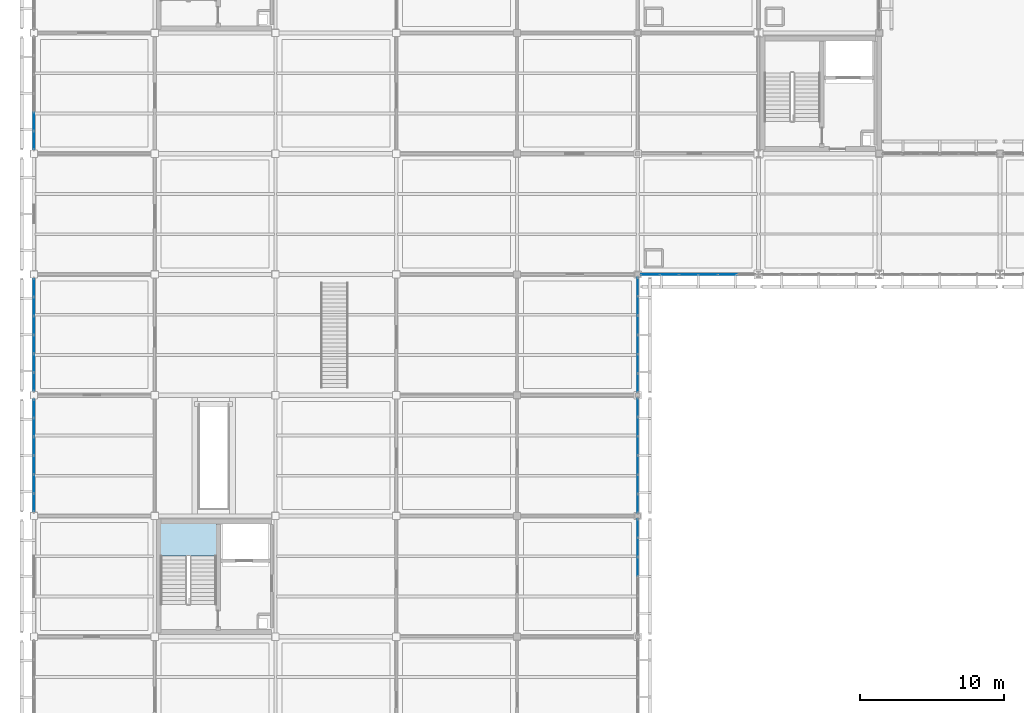
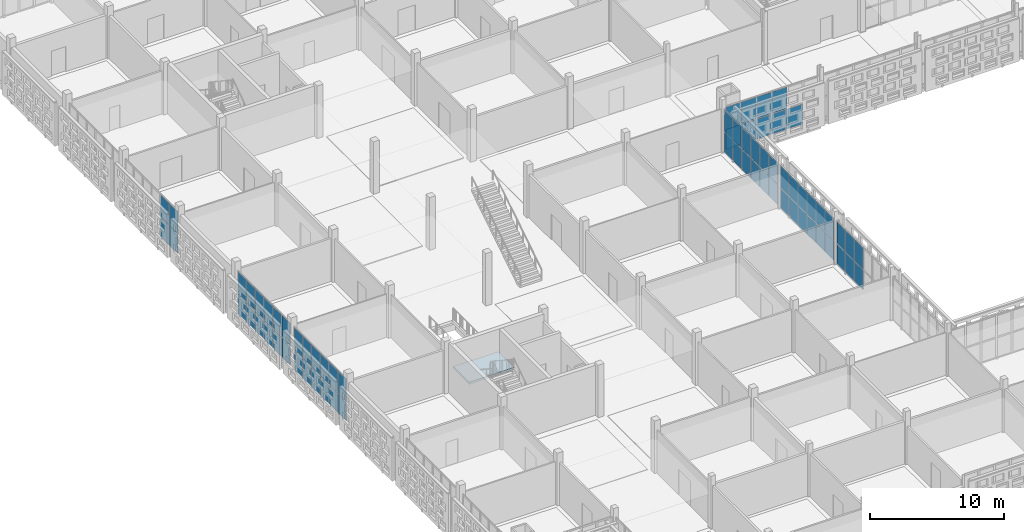
# One storey, part 94 of 203: 67 plates, 1 slab, 8 elements without a shape of their own.
"""IFC4 building model written with IfcOpenShell, lengths in metres."""

from ifc_helpers import new_model, si_unit, direction, frame, origin, origin_2d, place, context, subcontext, project, spatial, polyline, rectangle, outline, extrude, material, layer, layer_set, type_object, element, aggregate, save


model = new_model("IFC4")

# Units and contexts
model_context = context("Model", 3, precision=1e-05, world=origin(), true_north=direction((0.0, 1.0)))
body_context = subcontext(model_context, "Body", "Model", "MODEL_VIEW")
ifc_project = project(units=[si_unit("LENGTHUNIT", "METRE"), si_unit("AREAUNIT", "SQUARE_METRE"), si_unit("VOLUMEUNIT", "CUBIC_METRE"), si_unit("PLANEANGLEUNIT", "RADIAN"), si_unit("MASSUNIT", "GRAM", prefix="KILO")], contexts=[model_context])

# Site, building, storey
site_placement = place(None, origin())
site = spatial("IfcSite", under=ifc_project, at=site_placement, CompositionType="ELEMENT")
building_placement = place(site_placement, origin())
building = spatial("IfcBuilding", under=site, at=building_placement, Name="Varnapada Polytechnic", CompositionType="ELEMENT")
storey_placement = place(building_placement, frame((0.0, 0.0, 4.800048828125)))
storey = spatial("IfcBuildingStorey", under=building, at=storey_placement, Name="L01", CompositionType="ELEMENT", Elevation=4.800048828125)

# Curtain wall, plates
ifc_material_1 = material(Name="Double low-E laminated glass", Category="glass")
ifc_layer_1 = layer(ifc_material_1, 0.159912109375)
ifc_layer_set_1 = layer_set([ifc_layer_1], Name="Double low-E laminated glass")
curtain_wall_type_1 = type_object("IfcCurtainWallType", Name="Curtain Wall CW-01", PredefinedType="NOTDEFINED", material=ifc_layer_set_1)
curtain_wall_1_placement = place(storey_placement, origin())
curtain_wall_1 = element("IfcCurtainWall", 1, at=curtain_wall_1_placement, inside=storey, type_object=curtain_wall_type_1, Name="L01 unitised curtain wall CW-01 (38)", PredefinedType="NOTDEFINED")
ifc_layer_2 = layer(ifc_material_1, 0.028076171875)
ifc_layer_set_2 = layer_set([ifc_layer_2], Name="Double low-E laminated glass")
plate_type_1 = type_object("IfcPlateType", Name="Curtain Panel PNL-01", PredefinedType="CURTAIN_PANEL", material=ifc_layer_set_2)
plate_1_placement = place(storey_placement, frame((42.0, 66.334228515625, 0.06005859375), z_axis=(0.0, 0.0, 1.0), x_axis=(0.0, -1.0, 0.0)))
plate_1 = element("IfcPlate", 2, at=plate_1_placement, type_object=plate_type_1, Name="CW-01 panel 1.1", PredefinedType="CURTAIN_PANEL", context=body_context, shape_type="SweptSolid", body=[
    extrude(rectangle(XDim=1.251708984375, YDim=0.028076171875, at=origin_2d()), origin(), (0.0, 0.0, 1.0), 1.810791015625),
])
plate_2_placement = place(storey_placement, frame((42.0, 66.334228515625, 1.9306640625), z_axis=(0.0, 0.0, 1.0), x_axis=(0.0, -1.0, 0.0)))
plate_2 = element("IfcPlate", 3, at=plate_2_placement, type_object=plate_type_1, Name="CW-01 panel 1.2", PredefinedType="CURTAIN_PANEL", context=body_context, shape_type="SweptSolid", body=[
    extrude(rectangle(XDim=1.251708984375, YDim=0.028076171875, at=origin_2d()), origin(), (0.0, 0.0, 1.0), 1.96923828125),
])
plate_3_placement = place(storey_placement, frame((42.0, 65.007568359375, 0.06005859375), z_axis=(0.0, 0.0, 1.0), x_axis=(0.0, -1.0, 0.0)))
plate_3 = element("IfcPlate", 4, at=plate_3_placement, type_object=plate_type_1, Name="CW-01 panel 2.1", PredefinedType="CURTAIN_PANEL", context=body_context, shape_type="SweptSolid", body=[
    extrude(rectangle(XDim=1.28173828125, YDim=0.028076171875, at=origin_2d()), origin(), (0.0, 0.0, 1.0), 1.810791015625),
])
plate_4_placement = place(storey_placement, frame((42.0, 65.007568359375, 1.9306640625), z_axis=(0.0, 0.0, 1.0), x_axis=(0.0, -1.0, 0.0)))
plate_4 = element("IfcPlate", 5, at=plate_4_placement, type_object=plate_type_1, Name="CW-01 panel 2.2", PredefinedType="CURTAIN_PANEL", context=body_context, shape_type="SweptSolid", body=[
    extrude(rectangle(XDim=1.28173828125, YDim=0.028076171875, at=origin_2d()), origin(), (0.0, 0.0, 1.0), 1.96923828125),
])
plate_5_placement = place(storey_placement, frame((42.0, 63.665771484375, 0.06005859375), z_axis=(0.0, 0.0, 1.0), x_axis=(0.0, -1.0, 0.0)))
plate_5 = element("IfcPlate", 6, at=plate_5_placement, type_object=plate_type_1, Name="CW-01 panel 3.1", PredefinedType="CURTAIN_PANEL", context=body_context, shape_type="SweptSolid", body=[
    extrude(rectangle(XDim=1.28173828125, YDim=0.028076171875, at=origin_2d()), origin(), (0.0, 0.0, 1.0), 1.810791015625),
])
plate_6_placement = place(storey_placement, frame((42.0, 63.665771484375, 1.9306640625), z_axis=(0.0, 0.0, 1.0), x_axis=(0.0, -1.0, 0.0)))
plate_6 = element("IfcPlate", 7, at=plate_6_placement, type_object=plate_type_1, Name="CW-01 panel 3.2", PredefinedType="CURTAIN_PANEL", context=body_context, shape_type="SweptSolid", body=[
    extrude(rectangle(XDim=1.28173828125, YDim=0.028076171875, at=origin_2d()), origin(), (0.0, 0.0, 1.0), 1.96923828125),
])
aggregate(curtain_wall_1, [plate_1, plate_2, plate_3, plate_4, plate_5, plate_6])

curtain_wall_2_placement = place(storey_placement, origin())
curtain_wall_2 = element("IfcCurtainWall", 8, at=curtain_wall_2_placement, inside=storey, type_object=curtain_wall_type_1, Name="L01 unitised curtain wall CW-01 (39)", PredefinedType="NOTDEFINED")
plate_7_placement = place(storey_placement, frame((42.0, 74.744140625, 0.06005859375), z_axis=(0.0, 0.0, 1.0), x_axis=(0.0, -1.0, 0.0)))
plate_7 = element("IfcPlate", 9, at=plate_7_placement, type_object=plate_type_1, Name="CW-01 panel 1.1", PredefinedType="CURTAIN_PANEL", context=body_context, shape_type="SweptSolid", body=[
    extrude(rectangle(XDim=1.251708984375, YDim=0.028076171875, at=origin_2d()), origin(), (0.0, 0.0, 1.0), 1.810791015625),
])
plate_8_placement = place(storey_placement, frame((42.0, 74.744140625, 1.9306640625), z_axis=(0.0, 0.0, 1.0), x_axis=(0.0, -1.0, 0.0)))
plate_8 = element("IfcPlate", 10, at=plate_8_placement, type_object=plate_type_1, Name="CW-01 panel 1.2", PredefinedType="CURTAIN_PANEL", context=body_context, shape_type="SweptSolid", body=[
    extrude(rectangle(XDim=1.251708984375, YDim=0.028076171875, at=origin_2d()), origin(), (0.0, 0.0, 1.0), 1.96923828125),
])
plate_9_placement = place(storey_placement, frame((42.0, 73.41748046875, 0.06005859375), z_axis=(0.0, 0.0, 1.0), x_axis=(0.0, -1.0, 0.0)))
plate_9 = element("IfcPlate", 11, at=plate_9_placement, type_object=plate_type_1, Name="CW-01 panel 2.1", PredefinedType="CURTAIN_PANEL", context=body_context, shape_type="SweptSolid", body=[
    extrude(rectangle(XDim=1.28173828125, YDim=0.028076171875, at=origin_2d()), origin(), (0.0, 0.0, 1.0), 1.810791015625),
])
plate_10_placement = place(storey_placement, frame((42.0, 73.41748046875, 1.9306640625), z_axis=(0.0, 0.0, 1.0), x_axis=(0.0, -1.0, 0.0)))
plate_10 = element("IfcPlate", 12, at=plate_10_placement, type_object=plate_type_1, Name="CW-01 panel 2.2", PredefinedType="CURTAIN_PANEL", context=body_context, shape_type="SweptSolid", body=[
    extrude(rectangle(XDim=1.28173828125, YDim=0.028076171875, at=origin_2d()), origin(), (0.0, 0.0, 1.0), 1.96923828125),
])
plate_11_placement = place(storey_placement, frame((42.0, 72.075927734375, 0.06005859375), z_axis=(0.0, 0.0, 1.0), x_axis=(0.0, -1.0, 0.0)))
plate_11 = element("IfcPlate", 13, at=plate_11_placement, type_object=plate_type_1, Name="CW-01 panel 3.1", PredefinedType="CURTAIN_PANEL", context=body_context, shape_type="SweptSolid", body=[
    extrude(rectangle(XDim=1.28173828125, YDim=0.028076171875, at=origin_2d()), origin(), (0.0, 0.0, 1.0), 1.810791015625),
])
plate_12_placement = place(storey_placement, frame((42.0, 72.075927734375, 1.9306640625), z_axis=(0.0, 0.0, 1.0), x_axis=(0.0, -1.0, 0.0)))
plate_12 = element("IfcPlate", 14, at=plate_12_placement, type_object=plate_type_1, Name="CW-01 panel 3.2", PredefinedType="CURTAIN_PANEL", context=body_context, shape_type="SweptSolid", body=[
    extrude(rectangle(XDim=1.28173828125, YDim=0.028076171875, at=origin_2d()), origin(), (0.0, 0.0, 1.0), 1.96923828125),
])
plate_13_placement = place(storey_placement, frame((42.0, 70.734130859375, 0.06005859375), z_axis=(0.0, 0.0, 1.0), x_axis=(0.0, -1.0, 0.0)))
plate_13 = element("IfcPlate", 15, at=plate_13_placement, type_object=plate_type_1, Name="CW-01 panel 4.1", PredefinedType="CURTAIN_PANEL", context=body_context, shape_type="SweptSolid", body=[
    extrude(rectangle(XDim=1.28173828125, YDim=0.028076171875, at=origin_2d()), origin(), (0.0, 0.0, 1.0), 1.810791015625),
])
plate_14_placement = place(storey_placement, frame((42.0, 70.734130859375, 1.9306640625), z_axis=(0.0, 0.0, 1.0), x_axis=(0.0, -1.0, 0.0)))
plate_14 = element("IfcPlate", 16, at=plate_14_placement, type_object=plate_type_1, Name="CW-01 panel 4.2", PredefinedType="CURTAIN_PANEL", context=body_context, shape_type="SweptSolid", body=[
    extrude(rectangle(XDim=1.28173828125, YDim=0.028076171875, at=origin_2d()), origin(), (0.0, 0.0, 1.0), 1.96923828125),
])
plate_15_placement = place(storey_placement, frame((42.0, 69.392578125, 0.06005859375), z_axis=(0.0, 0.0, 1.0), x_axis=(0.0, -1.0, 0.0)))
plate_15 = element("IfcPlate", 17, at=plate_15_placement, type_object=plate_type_1, Name="CW-01 panel 5.1", PredefinedType="CURTAIN_PANEL", context=body_context, shape_type="SweptSolid", body=[
    extrude(rectangle(XDim=1.28173828125, YDim=0.028076171875, at=origin_2d()), origin(), (0.0, 0.0, 1.0), 1.810791015625),
])
plate_16_placement = place(storey_placement, frame((42.0, 69.392578125, 1.9306640625), z_axis=(0.0, 0.0, 1.0), x_axis=(0.0, -1.0, 0.0)))
plate_16 = element("IfcPlate", 18, at=plate_16_placement, type_object=plate_type_1, Name="CW-01 panel 5.2", PredefinedType="CURTAIN_PANEL", context=body_context, shape_type="SweptSolid", body=[
    extrude(rectangle(XDim=1.28173828125, YDim=0.028076171875, at=origin_2d()), origin(), (0.0, 0.0, 1.0), 1.96923828125),
])
plate_17_placement = place(storey_placement, frame((42.0, 68.06591796875, 0.06005859375), z_axis=(0.0, 0.0, 1.0), x_axis=(0.0, -1.0, 0.0)))
plate_17 = element("IfcPlate", 19, at=plate_17_placement, type_object=plate_type_1, Name="CW-01 panel 6.1", PredefinedType="CURTAIN_PANEL", context=body_context, shape_type="SweptSolid", body=[
    extrude(rectangle(XDim=1.251708984375, YDim=0.028076171875, at=origin_2d()), origin(), (0.0, 0.0, 1.0), 1.810791015625),
])
plate_18_placement = place(storey_placement, frame((42.0, 68.06591796875, 1.9306640625), z_axis=(0.0, 0.0, 1.0), x_axis=(0.0, -1.0, 0.0)))
plate_18 = element("IfcPlate", 20, at=plate_18_placement, type_object=plate_type_1, Name="CW-01 panel 6.2", PredefinedType="CURTAIN_PANEL", context=body_context, shape_type="SweptSolid", body=[
    extrude(rectangle(XDim=1.251708984375, YDim=0.028076171875, at=origin_2d()), origin(), (0.0, 0.0, 1.0), 1.96923828125),
])
aggregate(curtain_wall_2, [plate_7, plate_8, plate_9, plate_10, plate_11, plate_12, plate_13, plate_14, plate_15, plate_16, plate_17, plate_18])

curtain_wall_3_placement = place(storey_placement, origin())
curtain_wall_3 = element("IfcCurtainWall", 21, at=curtain_wall_3_placement, inside=storey, type_object=curtain_wall_type_1, Name="L01 unitised curtain wall CW-01 (40)", PredefinedType="NOTDEFINED")
plate_19_placement = place(storey_placement, frame((42.0, 83.13427734375, 0.06005859375), z_axis=(0.0, 0.0, 1.0), x_axis=(0.0, -1.0, 0.0)))
plate_19 = element("IfcPlate", 22, at=plate_19_placement, type_object=plate_type_1, Name="CW-01 panel 1.1", PredefinedType="CURTAIN_PANEL", context=body_context, shape_type="SweptSolid", body=[
    extrude(rectangle(XDim=1.251708984375, YDim=0.028076171875, at=origin_2d()), origin(), (0.0, 0.0, 1.0), 1.810791015625),
])
plate_20_placement = place(storey_placement, frame((42.0, 83.13427734375, 1.9306640625), z_axis=(0.0, 0.0, 1.0), x_axis=(0.0, -1.0, 0.0)))
plate_20 = element("IfcPlate", 23, at=plate_20_placement, type_object=plate_type_1, Name="CW-01 panel 1.2", PredefinedType="CURTAIN_PANEL", context=body_context, shape_type="SweptSolid", body=[
    extrude(rectangle(XDim=1.251708984375, YDim=0.028076171875, at=origin_2d()), origin(), (0.0, 0.0, 1.0), 1.96923828125),
])
plate_21_placement = place(storey_placement, frame((42.0, 81.8076171875, 0.06005859375), z_axis=(0.0, 0.0, 1.0), x_axis=(0.0, -1.0, 0.0)))
plate_21 = element("IfcPlate", 24, at=plate_21_placement, type_object=plate_type_1, Name="CW-01 panel 2.1", PredefinedType="CURTAIN_PANEL", context=body_context, shape_type="SweptSolid", body=[
    extrude(rectangle(XDim=1.28173828125, YDim=0.028076171875, at=origin_2d()), origin(), (0.0, 0.0, 1.0), 1.810791015625),
])
plate_22_placement = place(storey_placement, frame((42.0, 81.8076171875, 1.9306640625), z_axis=(0.0, 0.0, 1.0), x_axis=(0.0, -1.0, 0.0)))
plate_22 = element("IfcPlate", 25, at=plate_22_placement, type_object=plate_type_1, Name="CW-01 panel 2.2", PredefinedType="CURTAIN_PANEL", context=body_context, shape_type="SweptSolid", body=[
    extrude(rectangle(XDim=1.28173828125, YDim=0.028076171875, at=origin_2d()), origin(), (0.0, 0.0, 1.0), 1.96923828125),
])
plate_23_placement = place(storey_placement, frame((42.0, 80.4658203125, 0.06005859375), z_axis=(0.0, 0.0, 1.0), x_axis=(0.0, -1.0, 0.0)))
plate_23 = element("IfcPlate", 26, at=plate_23_placement, type_object=plate_type_1, Name="CW-01 panel 3.1", PredefinedType="CURTAIN_PANEL", context=body_context, shape_type="SweptSolid", body=[
    extrude(rectangle(XDim=1.28173828125, YDim=0.028076171875, at=origin_2d()), origin(), (0.0, 0.0, 1.0), 1.810791015625),
])
plate_24_placement = place(storey_placement, frame((42.0, 80.4658203125, 1.9306640625), z_axis=(0.0, 0.0, 1.0), x_axis=(0.0, -1.0, 0.0)))
plate_24 = element("IfcPlate", 27, at=plate_24_placement, type_object=plate_type_1, Name="CW-01 panel 3.2", PredefinedType="CURTAIN_PANEL", context=body_context, shape_type="SweptSolid", body=[
    extrude(rectangle(XDim=1.28173828125, YDim=0.028076171875, at=origin_2d()), origin(), (0.0, 0.0, 1.0), 1.96923828125),
])
plate_25_placement = place(storey_placement, frame((42.0, 79.124267578125, 0.06005859375), z_axis=(0.0, 0.0, 1.0), x_axis=(0.0, -1.0, 0.0)))
plate_25 = element("IfcPlate", 28, at=plate_25_placement, type_object=plate_type_1, Name="CW-01 panel 4.1", PredefinedType="CURTAIN_PANEL", context=body_context, shape_type="SweptSolid", body=[
    extrude(rectangle(XDim=1.28173828125, YDim=0.028076171875, at=origin_2d()), origin(), (0.0, 0.0, 1.0), 1.810791015625),
])
plate_26_placement = place(storey_placement, frame((42.0, 79.124267578125, 1.9306640625), z_axis=(0.0, 0.0, 1.0), x_axis=(0.0, -1.0, 0.0)))
plate_26 = element("IfcPlate", 29, at=plate_26_placement, type_object=plate_type_1, Name="CW-01 panel 4.2", PredefinedType="CURTAIN_PANEL", context=body_context, shape_type="SweptSolid", body=[
    extrude(rectangle(XDim=1.28173828125, YDim=0.028076171875, at=origin_2d()), origin(), (0.0, 0.0, 1.0), 1.96923828125),
])
plate_27_placement = place(storey_placement, frame((42.0, 77.782470703125, 0.06005859375), z_axis=(0.0, 0.0, 1.0), x_axis=(0.0, -1.0, 0.0)))
plate_27 = element("IfcPlate", 30, at=plate_27_placement, type_object=plate_type_1, Name="CW-01 panel 5.1", PredefinedType="CURTAIN_PANEL", context=body_context, shape_type="SweptSolid", body=[
    extrude(rectangle(XDim=1.28173828125, YDim=0.028076171875, at=origin_2d()), origin(), (0.0, 0.0, 1.0), 1.810791015625),
])
plate_28_placement = place(storey_placement, frame((42.0, 77.782470703125, 1.9306640625), z_axis=(0.0, 0.0, 1.0), x_axis=(0.0, -1.0, 0.0)))
plate_28 = element("IfcPlate", 31, at=plate_28_placement, type_object=plate_type_1, Name="CW-01 panel 5.2", PredefinedType="CURTAIN_PANEL", context=body_context, shape_type="SweptSolid", body=[
    extrude(rectangle(XDim=1.28173828125, YDim=0.028076171875, at=origin_2d()), origin(), (0.0, 0.0, 1.0), 1.96923828125),
])
plate_29_placement = place(storey_placement, frame((42.0, 76.455810546875, 0.06005859375), z_axis=(0.0, 0.0, 1.0), x_axis=(0.0, -1.0, 0.0)))
plate_29 = element("IfcPlate", 32, at=plate_29_placement, type_object=plate_type_1, Name="CW-01 panel 6.1", PredefinedType="CURTAIN_PANEL", context=body_context, shape_type="SweptSolid", body=[
    extrude(rectangle(XDim=1.251708984375, YDim=0.028076171875, at=origin_2d()), origin(), (0.0, 0.0, 1.0), 1.810791015625),
])
plate_30_placement = place(storey_placement, frame((42.0, 76.455810546875, 1.9306640625), z_axis=(0.0, 0.0, 1.0), x_axis=(0.0, -1.0, 0.0)))
plate_30 = element("IfcPlate", 33, at=plate_30_placement, type_object=plate_type_1, Name="CW-01 panel 6.2", PredefinedType="CURTAIN_PANEL", context=body_context, shape_type="SweptSolid", body=[
    extrude(rectangle(XDim=1.251708984375, YDim=0.028076171875, at=origin_2d()), origin(), (0.0, 0.0, 1.0), 1.96923828125),
])
aggregate(curtain_wall_3, [plate_19, plate_20, plate_21, plate_22, plate_23, plate_24, plate_25, plate_26, plate_27, plate_28, plate_29, plate_30])

curtain_wall_4_placement = place(storey_placement, origin())
curtain_wall_4 = element("IfcCurtainWall", 34, at=curtain_wall_4_placement, inside=storey, type_object=curtain_wall_type_1, Name="L01 unitised curtain wall CW-01 (46)", PredefinedType="NOTDEFINED")
plate_31_placement = place(storey_placement, frame((48.232421875, 84.0, 0.06005859375), z_axis=(0.0, 0.0, 1.0), x_axis=(-1.0, 0.0, 0.0)))
plate_31 = element("IfcPlate", 35, at=plate_31_placement, type_object=plate_type_1, Name="CW-01 panel 2.1", PredefinedType="CURTAIN_PANEL", context=body_context, shape_type="SweptSolid", body=[
    extrude(rectangle(XDim=1.284912109375, YDim=0.028076171875, at=origin_2d()), origin(), (0.0, 0.0, 1.0), 1.810791015625),
])
plate_32_placement = place(storey_placement, frame((46.887451171875, 84.0, 0.06005859375), z_axis=(0.0, 0.0, 1.0), x_axis=(-1.0, 0.0, 0.0)))
plate_32 = element("IfcPlate", 36, at=plate_32_placement, type_object=plate_type_1, Name="CW-01 panel 3.1", PredefinedType="CURTAIN_PANEL", context=body_context, shape_type="SweptSolid", body=[
    extrude(rectangle(XDim=1.284912109375, YDim=0.028076171875, at=origin_2d()), origin(), (0.0, 0.0, 1.0), 1.810791015625),
])
plate_33_placement = place(storey_placement, frame((46.887451171875, 84.0, 1.9306640625), z_axis=(0.0, 0.0, 1.0), x_axis=(-1.0, 0.0, 0.0)))
plate_33 = element("IfcPlate", 37, at=plate_33_placement, type_object=plate_type_1, Name="CW-01 panel 3.2", PredefinedType="CURTAIN_PANEL", context=body_context, shape_type="SweptSolid", body=[
    extrude(rectangle(XDim=1.284912109375, YDim=0.028076171875, at=origin_2d()), origin(), (0.0, 0.0, 1.0), 1.96923828125),
])
plate_34_placement = place(storey_placement, frame((45.54248046875, 84.0, 0.06005859375), z_axis=(0.0, 0.0, 1.0), x_axis=(-1.0, 0.0, 0.0)))
plate_34 = element("IfcPlate", 38, at=plate_34_placement, type_object=plate_type_1, Name="CW-01 panel 4.1", PredefinedType="CURTAIN_PANEL", context=body_context, shape_type="SweptSolid", body=[
    extrude(rectangle(XDim=1.284912109375, YDim=0.028076171875, at=origin_2d()), origin(), (0.0, 0.0, 1.0), 1.810791015625),
])
plate_35_placement = place(storey_placement, frame((45.54248046875, 84.0, 1.9306640625), z_axis=(0.0, 0.0, 1.0), x_axis=(-1.0, 0.0, 0.0)))
plate_35 = element("IfcPlate", 39, at=plate_35_placement, type_object=plate_type_1, Name="CW-01 panel 4.2", PredefinedType="CURTAIN_PANEL", context=body_context, shape_type="SweptSolid", body=[
    extrude(rectangle(XDim=1.284912109375, YDim=0.028076171875, at=origin_2d()), origin(), (0.0, 0.0, 1.0), 1.96923828125),
])
plate_36_placement = place(storey_placement, frame((44.197509765625, 84.0, 0.06005859375), z_axis=(0.0, 0.0, 1.0), x_axis=(-1.0, 0.0, 0.0)))
plate_36 = element("IfcPlate", 40, at=plate_36_placement, type_object=plate_type_1, Name="CW-01 panel 5.1", PredefinedType="CURTAIN_PANEL", context=body_context, shape_type="SweptSolid", body=[
    extrude(rectangle(XDim=1.284912109375, YDim=0.028076171875, at=origin_2d()), origin(), (0.0, 0.0, 1.0), 1.810791015625),
])
plate_37_placement = place(storey_placement, frame((44.197509765625, 84.0, 1.9306640625), z_axis=(0.0, 0.0, 1.0), x_axis=(-1.0, 0.0, 0.0)))
plate_37 = element("IfcPlate", 41, at=plate_37_placement, type_object=plate_type_1, Name="CW-01 panel 5.2", PredefinedType="CURTAIN_PANEL", context=body_context, shape_type="SweptSolid", body=[
    extrude(rectangle(XDim=1.284912109375, YDim=0.028076171875, at=origin_2d()), origin(), (0.0, 0.0, 1.0), 1.96923828125),
])
plate_38_placement = place(storey_placement, frame((42.867431640625, 84.0, 0.06005859375), z_axis=(0.0, 0.0, 1.0), x_axis=(-1.0, 0.0, 0.0)))
plate_38 = element("IfcPlate", 42, at=plate_38_placement, type_object=plate_type_1, Name="CW-01 panel 6.1", PredefinedType="CURTAIN_PANEL", context=body_context, shape_type="SweptSolid", body=[
    extrude(rectangle(XDim=1.2548828125, YDim=0.028076171875, at=origin_2d()), origin(), (0.0, 0.0, 1.0), 1.810791015625),
])
plate_39_placement = place(storey_placement, frame((42.867431640625, 84.0, 1.9306640625), z_axis=(0.0, 0.0, 1.0), x_axis=(-1.0, 0.0, 0.0)))
plate_39 = element("IfcPlate", 43, at=plate_39_placement, type_object=plate_type_1, Name="CW-01 panel 6.2", PredefinedType="CURTAIN_PANEL", context=body_context, shape_type="SweptSolid", body=[
    extrude(rectangle(XDim=1.2548828125, YDim=0.028076171875, at=origin_2d()), origin(), (0.0, 0.0, 1.0), 1.96923828125),
])
aggregate(curtain_wall_4, [plate_31, plate_32, plate_33, plate_34, plate_35, plate_36, plate_37, plate_38, plate_39])

ifc_layer_3 = layer(ifc_material_1, 0.179931640625)
ifc_layer_set_3 = layer_set([ifc_layer_3], Name="Double low-E laminated glass")
curtain_wall_type_2 = type_object("IfcCurtainWallType", Name="Curtain Wall CW-03", PredefinedType="NOTDEFINED", material=ifc_layer_set_3)
curtain_wall_5_placement = place(storey_placement, origin())
curtain_wall_5 = element("IfcCurtainWall", 44, at=curtain_wall_5_placement, inside=storey, type_object=curtain_wall_type_2, Name="L01 unitised curtain wall CW-03 (22)", PredefinedType="NOTDEFINED")
ifc_layer_4 = layer(ifc_material_1, 0.031982421875)
ifc_layer_set_4 = layer_set([ifc_layer_4], Name="Double low-E laminated glass")
plate_type_2 = type_object("IfcPlateType", Name="Curtain Panel PNL-02", PredefinedType="CURTAIN_PANEL", material=ifc_layer_set_4)
plate_40_placement = place(storey_placement, frame((0.0, 68.1328125, 0.06494140625), z_axis=(0.0, 0.0, 1.0), x_axis=(0.0, 1.0, 0.0)))
plate_40 = element("IfcPlate", 45, at=plate_40_placement, type_object=plate_type_2, Name="CW-03 panel 1.1", PredefinedType="CURTAIN_PANEL", context=body_context, shape_type="SweptSolid", body=[
    extrude(rectangle(XDim=1.2158203125, YDim=0.031982421875, at=origin_2d()), origin(), (0.0, 0.0, 1.0), 1.80322265625),
])
plate_41_placement = place(storey_placement, frame((0.0, 68.1328125, 1.93310546875), z_axis=(0.0, 0.0, 1.0), x_axis=(0.0, 1.0, 0.0)))
plate_41 = element("IfcPlate", 46, at=plate_41_placement, type_object=plate_type_2, Name="CW-03 panel 1.2", PredefinedType="CURTAIN_PANEL", context=body_context, shape_type="SweptSolid", body=[
    extrude(rectangle(XDim=1.2158203125, YDim=0.031982421875, at=origin_2d()), origin(), (0.0, 0.0, 1.0), 1.961669921875),
])
plate_42_placement = place(storey_placement, frame((0.0, 69.429931640625, 0.06494140625), z_axis=(0.0, 0.0, 1.0), x_axis=(0.0, 1.0, 0.0)))
plate_42 = element("IfcPlate", 47, at=plate_42_placement, type_object=plate_type_2, Name="CW-03 panel 2.1", PredefinedType="CURTAIN_PANEL", context=body_context, shape_type="SweptSolid", body=[
    extrude(rectangle(XDim=1.248291015625, YDim=0.031982421875, at=origin_2d()), origin(), (0.0, 0.0, 1.0), 1.80322265625),
])
plate_43_placement = place(storey_placement, frame((0.0, 69.429931640625, 1.93310546875), z_axis=(0.0, 0.0, 1.0), x_axis=(0.0, 1.0, 0.0)))
plate_43 = element("IfcPlate", 48, at=plate_43_placement, type_object=plate_type_2, Name="CW-03 panel 2.2", PredefinedType="CURTAIN_PANEL", context=body_context, shape_type="SweptSolid", body=[
    extrude(rectangle(XDim=1.248291015625, YDim=0.031982421875, at=origin_2d()), origin(), (0.0, 0.0, 1.0), 1.961669921875),
])
plate_44_placement = place(storey_placement, frame((0.0, 70.743408203125, 0.06494140625), z_axis=(0.0, 0.0, 1.0), x_axis=(0.0, 1.0, 0.0)))
plate_44 = element("IfcPlate", 49, at=plate_44_placement, type_object=plate_type_2, Name="CW-03 panel 3.1", PredefinedType="CURTAIN_PANEL", context=body_context, shape_type="SweptSolid", body=[
    extrude(rectangle(XDim=1.248291015625, YDim=0.031982421875, at=origin_2d()), origin(), (0.0, 0.0, 1.0), 1.80322265625),
])
plate_45_placement = place(storey_placement, frame((0.0, 70.743408203125, 1.93310546875), z_axis=(0.0, 0.0, 1.0), x_axis=(0.0, 1.0, 0.0)))
plate_45 = element("IfcPlate", 50, at=plate_45_placement, type_object=plate_type_2, Name="CW-03 panel 3.2", PredefinedType="CURTAIN_PANEL", context=body_context, shape_type="SweptSolid", body=[
    extrude(rectangle(XDim=1.248291015625, YDim=0.031982421875, at=origin_2d()), origin(), (0.0, 0.0, 1.0), 1.961669921875),
])
plate_46_placement = place(storey_placement, frame((0.0, 72.056640625, 0.06494140625), z_axis=(0.0, 0.0, 1.0), x_axis=(0.0, 1.0, 0.0)))
plate_46 = element("IfcPlate", 51, at=plate_46_placement, type_object=plate_type_2, Name="CW-03 panel 4.1", PredefinedType="CURTAIN_PANEL", context=body_context, shape_type="SweptSolid", body=[
    extrude(rectangle(XDim=1.248291015625, YDim=0.031982421875, at=origin_2d()), origin(), (0.0, 0.0, 1.0), 1.80322265625),
])
plate_47_placement = place(storey_placement, frame((0.0, 72.056640625, 1.93310546875), z_axis=(0.0, 0.0, 1.0), x_axis=(0.0, 1.0, 0.0)))
plate_47 = element("IfcPlate", 52, at=plate_47_placement, type_object=plate_type_2, Name="CW-03 panel 4.2", PredefinedType="CURTAIN_PANEL", context=body_context, shape_type="SweptSolid", body=[
    extrude(rectangle(XDim=1.248291015625, YDim=0.031982421875, at=origin_2d()), origin(), (0.0, 0.0, 1.0), 1.961669921875),
])
plate_48_placement = place(storey_placement, frame((0.0, 73.3701171875, 0.06494140625), z_axis=(0.0, 0.0, 1.0), x_axis=(0.0, 1.0, 0.0)))
plate_48 = element("IfcPlate", 53, at=plate_48_placement, type_object=plate_type_2, Name="CW-03 panel 5.1", PredefinedType="CURTAIN_PANEL", context=body_context, shape_type="SweptSolid", body=[
    extrude(rectangle(XDim=1.248291015625, YDim=0.031982421875, at=origin_2d()), origin(), (0.0, 0.0, 1.0), 1.80322265625),
])
plate_49_placement = place(storey_placement, frame((0.0, 73.3701171875, 1.93310546875), z_axis=(0.0, 0.0, 1.0), x_axis=(0.0, 1.0, 0.0)))
plate_49 = element("IfcPlate", 54, at=plate_49_placement, type_object=plate_type_2, Name="CW-03 panel 5.2", PredefinedType="CURTAIN_PANEL", context=body_context, shape_type="SweptSolid", body=[
    extrude(rectangle(XDim=1.248291015625, YDim=0.031982421875, at=origin_2d()), origin(), (0.0, 0.0, 1.0), 1.961669921875),
])
plate_50_placement = place(storey_placement, frame((0.0, 74.6669921875, 0.06494140625), z_axis=(0.0, 0.0, 1.0), x_axis=(0.0, 1.0, 0.0)))
plate_50 = element("IfcPlate", 55, at=plate_50_placement, type_object=plate_type_2, Name="CW-03 panel 6.1", PredefinedType="CURTAIN_PANEL", context=body_context, shape_type="SweptSolid", body=[
    extrude(rectangle(XDim=1.2158203125, YDim=0.031982421875, at=origin_2d()), origin(), (0.0, 0.0, 1.0), 1.80322265625),
])
plate_51_placement = place(storey_placement, frame((0.0, 74.6669921875, 1.93310546875), z_axis=(0.0, 0.0, 1.0), x_axis=(0.0, 1.0, 0.0)))
plate_51 = element("IfcPlate", 56, at=plate_51_placement, type_object=plate_type_2, Name="CW-03 panel 6.2", PredefinedType="CURTAIN_PANEL", context=body_context, shape_type="SweptSolid", body=[
    extrude(rectangle(XDim=1.2158203125, YDim=0.031982421875, at=origin_2d()), origin(), (0.0, 0.0, 1.0), 1.961669921875),
])
aggregate(curtain_wall_5, [plate_40, plate_41, plate_42, plate_43, plate_44, plate_45, plate_46, plate_47, plate_48, plate_49, plate_50, plate_51])

curtain_wall_6_placement = place(storey_placement, origin())
curtain_wall_6 = element("IfcCurtainWall", 57, at=curtain_wall_6_placement, inside=storey, type_object=curtain_wall_type_2, Name="L01 unitised curtain wall CW-03 (23)", PredefinedType="NOTDEFINED")
plate_52_placement = place(storey_placement, frame((0.0, 76.532958984375, 0.06494140625), z_axis=(0.0, 0.0, 1.0), x_axis=(0.0, 1.0, 0.0)))
plate_52 = element("IfcPlate", 58, at=plate_52_placement, type_object=plate_type_2, Name="CW-03 panel 1.1", PredefinedType="CURTAIN_PANEL", context=body_context, shape_type="SweptSolid", body=[
    extrude(rectangle(XDim=1.2158203125, YDim=0.031982421875, at=origin_2d()), origin(), (0.0, 0.0, 1.0), 1.80322265625),
])
plate_53_placement = place(storey_placement, frame((0.0, 76.532958984375, 1.93310546875), z_axis=(0.0, 0.0, 1.0), x_axis=(0.0, 1.0, 0.0)))
plate_53 = element("IfcPlate", 59, at=plate_53_placement, type_object=plate_type_2, Name="CW-03 panel 1.2", PredefinedType="CURTAIN_PANEL", context=body_context, shape_type="SweptSolid", body=[
    extrude(rectangle(XDim=1.2158203125, YDim=0.031982421875, at=origin_2d()), origin(), (0.0, 0.0, 1.0), 1.961669921875),
])
plate_54_placement = place(storey_placement, frame((0.0, 77.830078125, 0.06494140625), z_axis=(0.0, 0.0, 1.0), x_axis=(0.0, 1.0, 0.0)))
plate_54 = element("IfcPlate", 60, at=plate_54_placement, type_object=plate_type_2, Name="CW-03 panel 2.1", PredefinedType="CURTAIN_PANEL", context=body_context, shape_type="SweptSolid", body=[
    extrude(rectangle(XDim=1.248291015625, YDim=0.031982421875, at=origin_2d()), origin(), (0.0, 0.0, 1.0), 1.80322265625),
])
plate_55_placement = place(storey_placement, frame((0.0, 77.830078125, 1.93310546875), z_axis=(0.0, 0.0, 1.0), x_axis=(0.0, 1.0, 0.0)))
plate_55 = element("IfcPlate", 61, at=plate_55_placement, type_object=plate_type_2, Name="CW-03 panel 2.2", PredefinedType="CURTAIN_PANEL", context=body_context, shape_type="SweptSolid", body=[
    extrude(rectangle(XDim=1.248291015625, YDim=0.031982421875, at=origin_2d()), origin(), (0.0, 0.0, 1.0), 1.961669921875),
])
plate_56_placement = place(storey_placement, frame((0.0, 79.143310546875, 0.06494140625), z_axis=(0.0, 0.0, 1.0), x_axis=(0.0, 1.0, 0.0)))
plate_56 = element("IfcPlate", 62, at=plate_56_placement, type_object=plate_type_2, Name="CW-03 panel 3.1", PredefinedType="CURTAIN_PANEL", context=body_context, shape_type="SweptSolid", body=[
    extrude(rectangle(XDim=1.248291015625, YDim=0.031982421875, at=origin_2d()), origin(), (0.0, 0.0, 1.0), 1.80322265625),
])
plate_57_placement = place(storey_placement, frame((0.0, 79.143310546875, 1.93310546875), z_axis=(0.0, 0.0, 1.0), x_axis=(0.0, 1.0, 0.0)))
plate_57 = element("IfcPlate", 63, at=plate_57_placement, type_object=plate_type_2, Name="CW-03 panel 3.2", PredefinedType="CURTAIN_PANEL", context=body_context, shape_type="SweptSolid", body=[
    extrude(rectangle(XDim=1.248291015625, YDim=0.031982421875, at=origin_2d()), origin(), (0.0, 0.0, 1.0), 1.961669921875),
])
plate_58_placement = place(storey_placement, frame((0.0, 80.456787109375, 0.06494140625), z_axis=(0.0, 0.0, 1.0), x_axis=(0.0, 1.0, 0.0)))
plate_58 = element("IfcPlate", 64, at=plate_58_placement, type_object=plate_type_2, Name="CW-03 panel 4.1", PredefinedType="CURTAIN_PANEL", context=body_context, shape_type="SweptSolid", body=[
    extrude(rectangle(XDim=1.248291015625, YDim=0.031982421875, at=origin_2d()), origin(), (0.0, 0.0, 1.0), 1.80322265625),
])
plate_59_placement = place(storey_placement, frame((0.0, 80.456787109375, 1.93310546875), z_axis=(0.0, 0.0, 1.0), x_axis=(0.0, 1.0, 0.0)))
plate_59 = element("IfcPlate", 65, at=plate_59_placement, type_object=plate_type_2, Name="CW-03 panel 4.2", PredefinedType="CURTAIN_PANEL", context=body_context, shape_type="SweptSolid", body=[
    extrude(rectangle(XDim=1.248291015625, YDim=0.031982421875, at=origin_2d()), origin(), (0.0, 0.0, 1.0), 1.961669921875),
])
plate_60_placement = place(storey_placement, frame((0.0, 81.77001953125, 0.06494140625), z_axis=(0.0, 0.0, 1.0), x_axis=(0.0, 1.0, 0.0)))
plate_60 = element("IfcPlate", 66, at=plate_60_placement, type_object=plate_type_2, Name="CW-03 panel 5.1", PredefinedType="CURTAIN_PANEL", context=body_context, shape_type="SweptSolid", body=[
    extrude(rectangle(XDim=1.248291015625, YDim=0.031982421875, at=origin_2d()), origin(), (0.0, 0.0, 1.0), 1.80322265625),
])
plate_61_placement = place(storey_placement, frame((0.0, 81.77001953125, 1.93310546875), z_axis=(0.0, 0.0, 1.0), x_axis=(0.0, 1.0, 0.0)))
plate_61 = element("IfcPlate", 67, at=plate_61_placement, type_object=plate_type_2, Name="CW-03 panel 5.2", PredefinedType="CURTAIN_PANEL", context=body_context, shape_type="SweptSolid", body=[
    extrude(rectangle(XDim=1.248291015625, YDim=0.031982421875, at=origin_2d()), origin(), (0.0, 0.0, 1.0), 1.961669921875),
])
plate_62_placement = place(storey_placement, frame((0.0, 83.067138671875, 0.06494140625), z_axis=(0.0, 0.0, 1.0), x_axis=(0.0, 1.0, 0.0)))
plate_62 = element("IfcPlate", 68, at=plate_62_placement, type_object=plate_type_2, Name="CW-03 panel 6.1", PredefinedType="CURTAIN_PANEL", context=body_context, shape_type="SweptSolid", body=[
    extrude(rectangle(XDim=1.2158203125, YDim=0.031982421875, at=origin_2d()), origin(), (0.0, 0.0, 1.0), 1.80322265625),
])
plate_63_placement = place(storey_placement, frame((0.0, 83.067138671875, 1.93310546875), z_axis=(0.0, 0.0, 1.0), x_axis=(0.0, 1.0, 0.0)))
plate_63 = element("IfcPlate", 69, at=plate_63_placement, type_object=plate_type_2, Name="CW-03 panel 6.2", PredefinedType="CURTAIN_PANEL", context=body_context, shape_type="SweptSolid", body=[
    extrude(rectangle(XDim=1.2158203125, YDim=0.031982421875, at=origin_2d()), origin(), (0.0, 0.0, 1.0), 1.961669921875),
])
aggregate(curtain_wall_6, [plate_52, plate_53, plate_54, plate_55, plate_56, plate_57, plate_58, plate_59, plate_60, plate_61, plate_62, plate_63])

curtain_wall_7_placement = place(storey_placement, origin())
curtain_wall_7 = element("IfcCurtainWall", 70, at=curtain_wall_7_placement, inside=storey, type_object=curtain_wall_type_2, Name="L01 unitised curtain wall CW-03 (24)", PredefinedType="NOTDEFINED")
plate_64_placement = place(storey_placement, frame((0.0, 93.3330078125, 0.06494140625), z_axis=(0.0, 0.0, 1.0), x_axis=(0.0, 1.0, 0.0)))
plate_64 = element("IfcPlate", 71, at=plate_64_placement, type_object=plate_type_2, Name="CW-03 panel 1.1", PredefinedType="CURTAIN_PANEL", context=body_context, shape_type="SweptSolid", body=[
    extrude(rectangle(XDim=1.2158203125, YDim=0.031982421875, at=origin_2d()), origin(), (0.0, 0.0, 1.0), 1.80322265625),
])
plate_65_placement = place(storey_placement, frame((0.0, 93.3330078125, 1.93310546875), z_axis=(0.0, 0.0, 1.0), x_axis=(0.0, 1.0, 0.0)))
plate_65 = element("IfcPlate", 72, at=plate_65_placement, type_object=plate_type_2, Name="CW-03 panel 1.2", PredefinedType="CURTAIN_PANEL", context=body_context, shape_type="SweptSolid", body=[
    extrude(rectangle(XDim=1.2158203125, YDim=0.031982421875, at=origin_2d()), origin(), (0.0, 0.0, 1.0), 1.961669921875),
])
plate_66_placement = place(storey_placement, frame((0.0, 94.6298828125, 0.06494140625), z_axis=(0.0, 0.0, 1.0), x_axis=(0.0, 1.0, 0.0)))
plate_66 = element("IfcPlate", 73, at=plate_66_placement, type_object=plate_type_2, Name="CW-03 panel 2.1", PredefinedType="CURTAIN_PANEL", context=body_context, shape_type="SweptSolid", body=[
    extrude(rectangle(XDim=1.248291015625, YDim=0.031982421875, at=origin_2d()), origin(), (0.0, 0.0, 1.0), 1.80322265625),
])
plate_67_placement = place(storey_placement, frame((0.0, 94.6298828125, 1.93310546875), z_axis=(0.0, 0.0, 1.0), x_axis=(0.0, 1.0, 0.0)))
plate_67 = element("IfcPlate", 74, at=plate_67_placement, type_object=plate_type_2, Name="CW-03 panel 2.2", PredefinedType="CURTAIN_PANEL", context=body_context, shape_type="SweptSolid", body=[
    extrude(rectangle(XDim=1.248291015625, YDim=0.031982421875, at=origin_2d()), origin(), (0.0, 0.0, 1.0), 1.961669921875),
])
aggregate(curtain_wall_7, [plate_64, plate_65, plate_66, plate_67])

# Stair, slab
ifc_material_2 = material(Name="Concrete C40/50", Category="concrete")
stair_type = type_object("IfcStairType", Name="Core Exit Stair ST-A", PredefinedType="HALF_TURN_STAIR", material=ifc_material_2)
stair_placement = place(storey_placement, origin())
stair = element("IfcStair", 75, at=stair_placement, inside=storey, type_object=stair_type, Name="L01 Core C2 Exit Stair", PredefinedType="HALF_TURN_STAIR")
ifc_layer_5 = layer(ifc_material_2, 0.199951171875)
ifc_layer_set_5 = layer_set([ifc_layer_5], Name="Concrete C40/50")
slab_type = type_object("IfcSlabType", Name="Stair Half Landing SLD-01", PredefinedType="LANDING", material=ifc_layer_set_5)
slab_placement = place(storey_placement, frame((0.0, 0.0, 2.199951171875)))
slab = element("IfcSlab", 76, at=slab_placement, type_object=slab_type, Name="ST-2 landing 1", PredefinedType="LANDING", context=body_context, shape_type="SweptSolid", body=[
    extrude(outline(polyline([(12.699951171875, 64.409912109375), (12.699951171875, 66.800048828125), (8.800048828125, 66.800048828125), (8.800048828125, 64.409912109375), (12.699951171875, 64.409912109375)])), origin(), (0.0, 0.0, 1.0), 0.199951171875),
])
aggregate(stair, [slab])

save(model, "model.ifc")
